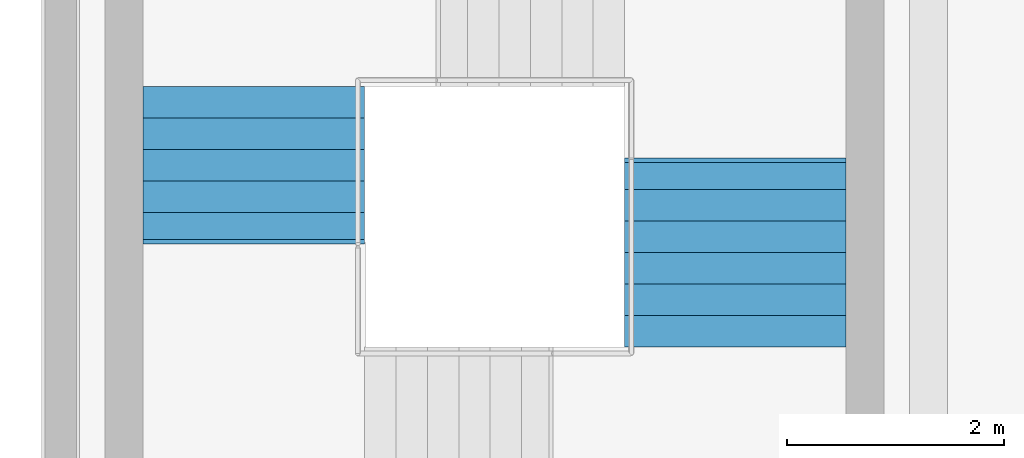
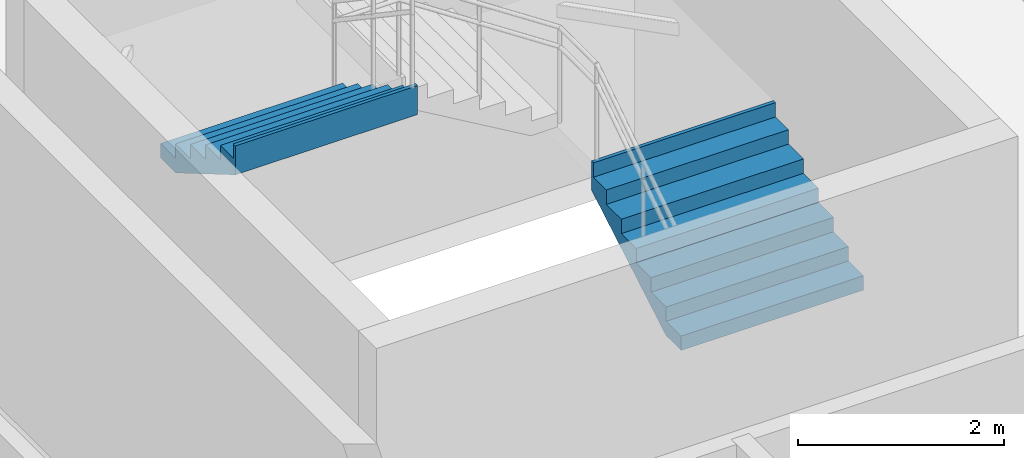
# One storey, part 65 of 69: 2 stair flights, 1 element without a shape of its own.
"""IFC4 building model written with IfcOpenShell, lengths in metres."""

import ifcopenshell
import ifcopenshell.guid

model = None  # the IFC model being written
_history = None  # IfcOwnerHistory: only IFC2X3 demands one
_inside = {}  # id of a spatial element -> (the spatial element, [elements in it])
_under = {}  # id of a project, library or spatial element -> (it, [spatial elements below it])
_declared = {}  # id of a project -> (the project, [libraries it declares])
_typed = {}  # id of a type object -> (the type object, [elements of that type])
_made_of = {}  # id of a material, layer set ... -> (it, [elements and type objects made of it])


def new_model(schema):
    """Start an empty IFC model of exactly this schema.

    Asked for "IFC4X3", IfcOpenShell would pick the latest addendum, in which some entities
    have other attributes; the version numbers below select the first issue.
    IFC2X3 requires an IfcOwnerHistory on every rooted entity: one is made here for all.
    """
    global model, _history
    if schema == "IFC4X3":
        model = ifcopenshell.file(schema_version=(4, 3, 0, 0))
    else:
        model = ifcopenshell.file(schema=schema)
    _inside.clear()
    _under.clear()
    _declared.clear()
    _typed.clear()
    _made_of.clear()
    _history = None
    if model.schema == "IFC2X3":
        org = make("IfcOrganization", Name="unknown")
        user = make(
            "IfcPersonAndOrganization",
            ThePerson=make("IfcPerson", FamilyName="unknown"),
            TheOrganization=org,
        )
        app = make(
            "IfcApplication",
            ApplicationDeveloper=org,
            Version="unknown",
            ApplicationFullName="unknown",
            ApplicationIdentifier="unknown",
        )
        _history = make(
            "IfcOwnerHistory",
            OwningUser=user,
            OwningApplication=app,
            ChangeAction="ADDED",
            CreationDate=0,
        )
    return model


def make(cls, **values):
    """One entity of the class cls with the attributes given. An attribute that is None is left unset."""
    return model.create_entity(
        cls, **{name: value for name, value in values.items() if value is not None}
    )


def rooted(cls, **values):
    """An entity with a GlobalId (a new one), such as an element, a storey or a relation."""
    return make(cls, GlobalId=ifcopenshell.guid.new(), OwnerHistory=_history, **values)


def si_unit(unit_type, name, prefix=None):
    """IfcSIUnit, for example si_unit("LENGTHUNIT", "METRE", prefix="MILLI")."""
    return make("IfcSIUnit", UnitType=unit_type, Prefix=prefix, Name=name)


def assignment(units):
    """IfcUnitAssignment: the units of a project."""
    return None if units is None else make("IfcUnitAssignment", Units=units)


def point(xyz):
    """IfcCartesianPoint."""
    return None if xyz is None else make("IfcCartesianPoint", Coordinates=xyz)


def direction(xyz):
    """IfcDirection."""
    return None if xyz is None else make("IfcDirection", DirectionRatios=xyz)


def frame(location, z_axis=None, x_axis=None):
    """IfcAxis2Placement3D, a coordinate frame: its origin and axes. An axis left out is left unset."""
    return make(
        "IfcAxis2Placement3D",
        Location=point(location),
        Axis=direction(z_axis),
        RefDirection=direction(x_axis),
    )


def origin():
    """The frame at (0, 0, 0) with its axes left unset."""
    return frame((0.0, 0.0, 0.0))


def place(relative_to, where):
    """IfcLocalPlacement: puts the frame where relative to a parent placement (None: the world)."""
    return make(
        "IfcLocalPlacement", PlacementRelTo=relative_to, RelativePlacement=where
    )


def context(
    kind, dimensions, precision=None, world=None, true_north=None, identifier=None
):
    """IfcGeometricRepresentationContext, for example the 3D "Model" context."""
    return make(
        "IfcGeometricRepresentationContext",
        ContextIdentifier=identifier,
        ContextType=kind,
        CoordinateSpaceDimension=dimensions,
        Precision=precision,
        WorldCoordinateSystem=world,
        TrueNorth=true_north,
    )


def subcontext(parent, identifier, kind, view, scale=None):
    """IfcGeometricRepresentationSubContext, for example "Body" below "Model"."""
    return make(
        "IfcGeometricRepresentationSubContext",
        ContextIdentifier=identifier,
        ContextType=kind,
        ParentContext=parent,
        TargetScale=scale,
        TargetView=view,
    )


def project(units=None, contexts=None):
    """IfcProject with its units and contexts."""
    return rooted(
        "IfcProject",
        Name="project",
        RepresentationContexts=contexts,
        UnitsInContext=assignment(units),
    )


def spatial(cls, under=None, at=None, **own):
    """A site, building, storey or space (cls), placed at a placement, below another one or the project."""
    s = rooted(cls, ObjectPlacement=at, **own)
    if under is not None:
        _under.setdefault(under.id(), (under, []))[1].append(s)
    return s


def point_list(points):
    """IfcCartesianPointList2D or 3D."""
    cls = (
        "IfcCartesianPointList2D" if len(points[0]) == 2 else "IfcCartesianPointList3D"
    )
    return make(cls, CoordList=points)


def triangles(points, corners, closed=None, point_numbers=None):
    """IfcTriangulatedFaceSet: each triangle names its three corners, points numbered from 1."""
    return make(
        "IfcTriangulatedFaceSet",
        Coordinates=point_list(points),
        Closed=closed,
        CoordIndex=corners,
        PnIndex=point_numbers,
    )


def shape(context_of_items, identifier, shape_type, items):
    """IfcShapeRepresentation: the items that make up one representation, for example the "Body"."""
    return make(
        "IfcShapeRepresentation",
        ContextOfItems=context_of_items,
        RepresentationIdentifier=identifier,
        RepresentationType=shape_type,
        Items=items,
    )


def material(Name=None, Category=None):
    """IfcMaterial."""
    return make("IfcMaterial", Name=Name, Category=Category)


def made_of(thing, what):
    """Note that an element or type object is made of a material, layer set ...; save() writes the relation."""
    if what is not None:
        _made_of.setdefault(what.id(), (what, []))[1].append(thing)
    return thing


def type_object(cls, material=None, **own):
    """A type object (cls), such as IfcWallType, which elements share."""
    return made_of(rooted(cls, **own), material)


def element(
    cls,
    number,
    at=None,
    inside=None,
    cuts=None,
    type_object=None,
    material=None,
    context=None,
    identifier="Body",
    shape_type=None,
    held_by="IfcProductDefinitionShape",
    body=None,
    shapes=None,
    **own,
):
    """One element of the class cls, such as IfcWall. Its Tag is "e" and its number.

    at: its placement. inside: the storey or other place that contains it. cuts: it is an
    opening in that element (IfcRelVoidsElement). A single representation is given by context,
    identifier, shape_type and body (its items); several are given by shapes. held_by: the class
    of the entity that holds the representations. save() writes the other relations.
    """
    e = rooted(cls, Tag="e%d" % number, ObjectPlacement=at, **own)
    if body is not None:
        shapes = [shape(context, identifier, shape_type, body)]
    if shapes is not None:
        e.Representation = make(held_by, Representations=shapes)
    if inside is not None:
        _inside.setdefault(inside.id(), (inside, []))[1].append(e)
    if cuts is not None:
        rooted(
            "IfcRelVoidsElement", RelatingBuildingElement=cuts, RelatedOpeningElement=e
        )
    if type_object is not None:
        _typed.setdefault(type_object.id(), (type_object, []))[1].append(e)
    return made_of(e, material)


def aggregate(whole, parts):
    """IfcRelAggregates: a whole, such as a stair, and the parts it consists of."""
    return rooted("IfcRelAggregates", RelatingObject=whole, RelatedObjects=parts)


def save(model, path):
    """Write the relations noted so far, then the file.

    IfcRelAggregates (storeys below a building ...), IfcRelContainedInSpatialStructure (elements
    in a storey), IfcRelDefinesByType, IfcRelAssociatesMaterial and IfcRelDeclares: one each for
    every whole, place, type object, material and project.
    """
    for whole, parts in _under.values():
        aggregate(whole, parts)
    for where, things in _inside.values():
        rooted(
            "IfcRelContainedInSpatialStructure",
            RelatedElements=things,
            RelatingStructure=where,
        )
    for kind, things in _typed.values():
        rooted("IfcRelDefinesByType", RelatedObjects=things, RelatingType=kind)
    for what, things in _made_of.values():
        rooted("IfcRelAssociatesMaterial", RelatedObjects=things, RelatingMaterial=what)
    for by, libraries in _declared.values():
        rooted("IfcRelDeclares", RelatingContext=by, RelatedDefinitions=libraries)
    model.write(path)


model = new_model("IFC4")

# Units and contexts
model_context = context("Model", 3, precision=1e-05, world=origin(), true_north=direction((0.0, 1.0)))
body_context = subcontext(model_context, "Body", "Model", "MODEL_VIEW")
ifc_project = project(units=[si_unit("LENGTHUNIT", "METRE"), si_unit("AREAUNIT", "SQUARE_METRE"), si_unit("VOLUMEUNIT", "CUBIC_METRE"), si_unit("PLANEANGLEUNIT", "RADIAN"), si_unit("MASSUNIT", "GRAM", prefix="KILO")], contexts=[model_context])

# Site, building, storey
site_placement = place(None, origin())
site = spatial("IfcSite", under=ifc_project, at=site_placement, CompositionType="ELEMENT")
building_placement = place(site_placement, origin())
building = spatial("IfcBuilding", under=site, at=building_placement, Name="Sillaruma Civic Art Gallery", CompositionType="ELEMENT")
storey_placement = place(building_placement, frame((0.0, 0.0, 42.330078125)))
storey = spatial("IfcBuildingStorey", under=building, at=storey_placement, Name="L08", CompositionType="ELEMENT", Elevation=42.330078125)

# Stair, stair flights
ifc_material = material(Name="Concrete H35 (35 MPa)", Category="concrete")
stair_type = type_object("IfcStairType", Name="STR-4F-27", PredefinedType="USERDEFINED", material=ifc_material)
stair_placement = place(storey_placement, origin())
stair = element("IfcStair", 1, at=stair_placement, inside=storey, type_object=stair_type, Name="Protected Exit Stair ST-02 (West Bar North) (L08)", ObjectType="THREE_RETURN_STAIR", PredefinedType="USERDEFINED")
stair_flight_type_1 = type_object("IfcStairFlightType", Name="SFL-STR-6", PredefinedType="STRAIGHT", material=ifc_material)
stair_flight_1_placement = place(storey_placement, frame((63.780029296875, 85.35009765625, 3.56982421875), z_axis=(0.0, 0.0, 1.0), x_axis=(0.0, -1.0, 0.0)))
stair_flight_1 = element("IfcStairFlight", 2, at=stair_flight_1_placement, type_object=stair_flight_type_1, Name="ST-02 flight 4", NumberOfRisers=6, NumberOfTreads=5, PredefinedType="STRAIGHT", RiserHeight=0.17, TreadLength=0.29, context=body_context, shape_type="Tessellation", body=[
    triangles([(0.0, -1.02001953125, 0.0), (0.29, -1.02001953125, 0.0), (0.296365, -1.02001953125, 0.0), (0.58, -1.02001953125, 0.166269), (0.87, -1.02001953125, 0.336269), (1.16, -1.02001953125, 0.506269), (1.409951, -1.02001953125, 0.652792), (1.449951, -1.02001953125, 0.67624), (1.449951, -1.02001953125, 1.02), (1.409951, -1.02001953125, 1.02), (1.409951, -1.02001953125, 0.85), (1.16, -1.02001953125, 0.85), (1.16, -1.02001953125, 0.68), (0.87, -1.02001953125, 0.68), (0.87, -1.02001953125, 0.51), (0.58, -1.02001953125, 0.51), (0.58, -1.02001953125, 0.34), (0.296365, -1.02001953125, 0.34), (0.29, -1.02001953125, 0.34), (0.29, -1.02001953125, 0.17), (0.0, -1.02001953125, 0.17), (0.0, -0.05, 0.0), (0.29, -0.05, 0.0), (0.296365, -0.05, 0.0), (0.58, -0.05, 0.166269), (0.87, -0.05, 0.336269), (1.16, -0.05, 0.506269), (1.409951, -0.05, 0.652792), (1.449951, -0.05, 0.67624), (1.449951, -0.05, 1.02), (1.409951, -0.05, 1.02), (1.409951, -0.05, 0.85), (1.16, -0.05, 0.85), (1.16, -0.05, 0.68), (0.87, -0.05, 0.68), (0.87, -0.05, 0.51), (0.58, -0.05, 0.51), (0.58, -0.05, 0.34), (0.296365, -0.05, 0.34), (0.29, -0.05, 0.34), (0.29, -0.05, 0.17), (0.0, -0.05, 0.17), (0.0, -0.0375, 0.0), (0.29, -0.0375, 0.0), (0.296365, -0.0375, 0.0), (0.58, -0.0375, 0.166269), (0.87, -0.0375, 0.336269), (1.16, -0.0375, 0.506269), (1.409951, -0.0375, 0.652792), (1.449951, -0.0375, 0.67624), (1.449951, -0.0375, 1.02), (1.409951, -0.0375, 1.02), (1.409951, -0.0375, 0.85), (1.16, -0.0375, 0.85), (1.16, -0.0375, 0.68), (0.87, -0.0375, 0.68), (0.87, -0.0375, 0.51), (0.58, -0.0375, 0.51), (0.58, -0.0375, 0.34), (0.296365, -0.0375, 0.34), (0.29, -0.0375, 0.34), (0.29, -0.0375, 0.17), (0.0, -0.0375, 0.17), (0.0, -0.025, 0.0), (0.29, -0.025, 0.0), (0.296365, -0.025, 0.0), (0.58, -0.025, 0.166269), (0.87, -0.025, 0.336269), (1.16, -0.025, 0.506269), (1.409951, -0.025, 0.652792), (1.449951, -0.025, 0.67624), (1.449951, -0.025, 1.02), (1.409951, -0.025, 1.02), (1.409951, -0.025, 0.85), (1.16, -0.025, 0.85), (1.16, -0.025, 0.68), (0.87, -0.025, 0.68), (0.87, -0.025, 0.51), (0.58, -0.025, 0.51), (0.58, -0.025, 0.34), (0.296365, -0.025, 0.34), (0.29, -0.025, 0.34), (0.29, -0.025, 0.17), (0.0, -0.025, 0.17), (0.0, -0.0125, 0.0), (0.29, -0.0125, 0.0), (0.296365, -0.0125, 0.0), (0.58, -0.0125, 0.166269), (0.87, -0.0125, 0.336269), (1.16, -0.0125, 0.506269), (1.409951, -0.0125, 0.652792), (1.449951, -0.0125, 0.67624), (1.449951, -0.0125, 1.02), (1.409951, -0.0125, 1.02), (1.409951, -0.0125, 0.85), (1.16, -0.0125, 0.85), (1.16, -0.0125, 0.68), (0.87, -0.0125, 0.68), (0.87, -0.0125, 0.51), (0.58, -0.0125, 0.51), (0.58, -0.0125, 0.34), (0.296365, -0.0125, 0.34), (0.29, -0.0125, 0.34), (0.29, -0.0125, 0.17), (0.0, -0.0125, 0.17), (0.0, 0.0, 0.0), (0.29, 0.0, 0.0), (0.296365, 0.0, 0.0), (0.58, 0.0, 0.166269), (0.87, 0.0, 0.336269), (1.16, 0.0, 0.506269), (1.409951, 0.0, 0.652792), (1.449951, 0.0, 0.67624), (1.449951, 0.0, 1.02), (1.409951, 0.0, 1.02), (1.409951, 0.0, 0.85), (1.16, 0.0, 0.85), (1.16, 0.0, 0.68), (0.87, 0.0, 0.68), (0.87, 0.0, 0.51), (0.58, 0.0, 0.51), (0.58, 0.0, 0.34), (0.296365, 0.0, 0.34), (0.29, 0.0, 0.34), (0.29, 0.0, 0.17), (0.0, 0.0, 0.17), (0.0, 0.0125, 0.0), (0.29, 0.0125, 0.0), (0.296365, 0.0125, 0.0), (0.58, 0.0125, 0.166269), (0.87, 0.0125, 0.336269), (1.16, 0.0125, 0.506269), (1.409951, 0.0125, 0.652792), (1.449951, 0.0125, 0.67624), (1.449951, 0.0125, 1.02), (1.409951, 0.0125, 1.02), (1.409951, 0.0125, 0.85), (1.16, 0.0125, 0.85), (1.16, 0.0125, 0.68), (0.87, 0.0125, 0.68), (0.87, 0.0125, 0.51), (0.58, 0.0125, 0.51), (0.58, 0.0125, 0.34), (0.296365, 0.0125, 0.34), (0.29, 0.0125, 0.34), (0.29, 0.0125, 0.17), (0.0, 0.0125, 0.17), (0.0, 0.025, 0.0), (0.29, 0.025, 0.0), (0.296365, 0.025, 0.0), (0.58, 0.025, 0.166269), (0.87, 0.025, 0.336269), (1.16, 0.025, 0.506269), (1.409951, 0.025, 0.652792), (1.449951, 0.025, 0.67624), (1.449951, 0.025, 1.02), (1.409951, 0.025, 1.02), (1.409951, 0.025, 0.85), (1.16, 0.025, 0.85), (1.16, 0.025, 0.68), (0.87, 0.025, 0.68), (0.87, 0.025, 0.51), (0.58, 0.025, 0.51), (0.58, 0.025, 0.34), (0.296365, 0.025, 0.34), (0.29, 0.025, 0.34), (0.29, 0.025, 0.17), (0.0, 0.025, 0.17), (0.0, 0.0375, 0.0), (0.29, 0.0375, 0.0), (0.296365, 0.0375, 0.0), (0.58, 0.0375, 0.166269), (0.87, 0.0375, 0.336269), (1.16, 0.0375, 0.506269), (1.409951, 0.0375, 0.652792), (1.449951, 0.0375, 0.67624), (1.449951, 0.0375, 1.02), (1.409951, 0.0375, 1.02), (1.409951, 0.0375, 0.85), (1.16, 0.0375, 0.85), (1.16, 0.0375, 0.68), (0.87, 0.0375, 0.68), (0.87, 0.0375, 0.51), (0.58, 0.0375, 0.51), (0.58, 0.0375, 0.34), (0.296365, 0.0375, 0.34), (0.29, 0.0375, 0.34), (0.29, 0.0375, 0.17), (0.0, 0.0375, 0.17), (0.0, 0.05, 0.0), (0.29, 0.05, 0.0), (0.296365, 0.05, 0.0), (0.58, 0.05, 0.166269), (0.87, 0.05, 0.336269), (1.16, 0.05, 0.506269), (1.409951, 0.05, 0.652792), (1.449951, 0.05, 0.67624), (1.449951, 0.05, 1.02), (1.409951, 0.05, 1.02), (1.409951, 0.05, 0.85), (1.16, 0.05, 0.85), (1.16, 0.05, 0.68), (0.87, 0.05, 0.68), (0.87, 0.05, 0.51), (0.58, 0.05, 0.51), (0.58, 0.05, 0.34), (0.296365, 0.05, 0.34), (0.29, 0.05, 0.34), (0.29, 0.05, 0.17), (0.0, 0.05, 0.17), (0.0, 1.02001953125, 0.0), (0.29, 1.02001953125, 0.0), (0.296365, 1.02001953125, 0.0), (0.58, 1.02001953125, 0.166269), (0.87, 1.02001953125, 0.336269), (1.16, 1.02001953125, 0.506269), (1.409951, 1.02001953125, 0.652792), (1.449951, 1.02001953125, 0.67624), (1.449951, 1.02001953125, 1.02), (1.409951, 1.02001953125, 1.02), (1.409951, 1.02001953125, 0.85), (1.16, 1.02001953125, 0.85), (1.16, 1.02001953125, 0.68), (0.87, 1.02001953125, 0.68), (0.87, 1.02001953125, 0.51), (0.58, 1.02001953125, 0.51), (0.58, 1.02001953125, 0.34), (0.296365, 1.02001953125, 0.34), (0.29, 1.02001953125, 0.34), (0.29, 1.02001953125, 0.17), (0.0, 1.02001953125, 0.17)], [[1, 2, 20], [1, 20, 21], [2, 3, 18], [2, 18, 20], [20, 18, 19], [3, 4, 17], [3, 17, 18], [4, 5, 15], [4, 15, 17], [17, 15, 16], [5, 6, 13], [5, 13, 15], [15, 13, 14], [6, 7, 11], [6, 11, 13], [13, 11, 12], [7, 8, 9], [7, 9, 11], [11, 9, 10], [230, 212, 211], [231, 230, 211], [228, 213, 212], [230, 228, 212], [229, 228, 230], [227, 214, 213], [228, 227, 213], [225, 215, 214], [227, 225, 214], [226, 225, 227], [223, 216, 215], [225, 223, 215], [224, 223, 225], [221, 217, 216], [223, 221, 216], [222, 221, 223], [219, 218, 217], [221, 219, 217], [220, 219, 221], [2, 1, 22], [2, 22, 23], [3, 2, 23], [3, 23, 24], [4, 3, 24], [4, 24, 25], [5, 4, 25], [5, 25, 26], [6, 5, 26], [6, 26, 27], [7, 6, 27], [7, 27, 28], [8, 7, 28], [8, 28, 29], [9, 8, 29], [9, 29, 30], [10, 9, 30], [10, 30, 31], [11, 10, 31], [11, 31, 32], [12, 11, 32], [12, 32, 33], [13, 12, 33], [13, 33, 34], [14, 13, 34], [14, 34, 35], [15, 14, 35], [15, 35, 36], [16, 15, 36], [16, 36, 37], [17, 16, 37], [17, 37, 38], [18, 17, 38], [18, 38, 39], [19, 18, 39], [19, 39, 40], [20, 19, 40], [20, 40, 41], [21, 20, 41], [21, 41, 42], [1, 21, 42], [1, 42, 22], [23, 22, 43], [23, 43, 44], [24, 23, 44], [24, 44, 45], [25, 24, 45], [25, 45, 46], [26, 25, 46], [26, 46, 47], [27, 26, 47], [27, 47, 48], [28, 27, 48], [28, 48, 49], [29, 28, 49], [29, 49, 50], [30, 29, 50], [30, 50, 51], [31, 30, 51], [31, 51, 52], [32, 31, 52], [32, 52, 53], [33, 32, 53], [33, 53, 54], [34, 33, 54], [34, 54, 55], [35, 34, 55], [35, 55, 56], [36, 35, 56], [36, 56, 57], [37, 36, 57], [37, 57, 58], [38, 37, 58], [38, 58, 59], [39, 38, 59], [39, 59, 60], [40, 39, 60], [40, 60, 61], [41, 40, 61], [41, 61, 62], [42, 41, 62], [42, 62, 63], [22, 42, 63], [22, 63, 43], [44, 43, 64], [44, 64, 65], [45, 44, 65], [45, 65, 66], [46, 45, 66], [46, 66, 67], [47, 46, 67], [47, 67, 68], [48, 47, 68], [48, 68, 69], [49, 48, 69], [49, 69, 70], [50, 49, 70], [50, 70, 71], [51, 50, 71], [51, 71, 72], [52, 51, 72], [52, 72, 73], [53, 52, 73], [53, 73, 74], [54, 53, 74], [54, 74, 75], [55, 54, 75], [55, 75, 76], [56, 55, 76], [56, 76, 77], [57, 56, 77], [57, 77, 78], [58, 57, 78], [58, 78, 79], [59, 58, 79], [59, 79, 80], [60, 59, 80], [60, 80, 81], [61, 60, 81], [61, 81, 82], [62, 61, 82], [62, 82, 83], [63, 62, 83], [63, 83, 84], [43, 63, 84], [43, 84, 64], [65, 64, 85], [65, 85, 86], [66, 65, 86], [66, 86, 87], [67, 66, 87], [67, 87, 88], [68, 67, 88], [68, 88, 89], [69, 68, 89], [69, 89, 90], [70, 69, 90], [70, 90, 91], [71, 70, 91], [71, 91, 92], [72, 71, 92], [72, 92, 93], [73, 72, 93], [73, 93, 94], [74, 73, 94], [74, 94, 95], [75, 74, 95], [75, 95, 96], [76, 75, 96], [76, 96, 97], [77, 76, 97], [77, 97, 98], [78, 77, 98], [78, 98, 99], [79, 78, 99], [79, 99, 100], [80, 79, 100], [80, 100, 101], [81, 80, 101], [81, 101, 102], [82, 81, 102], [82, 102, 103], [83, 82, 103], [83, 103, 104], [84, 83, 104], [84, 104, 105], [64, 84, 105], [64, 105, 85], [86, 85, 106], [86, 106, 107], [87, 86, 107], [87, 107, 108], [88, 87, 108], [88, 108, 109], [89, 88, 109], [89, 109, 110], [90, 89, 110], [90, 110, 111], [91, 90, 111], [91, 111, 112], [92, 91, 112], [92, 112, 113], [93, 92, 113], [93, 113, 114], [94, 93, 114], [94, 114, 115], [95, 94, 115], [95, 115, 116], [96, 95, 116], [96, 116, 117], [97, 96, 117], [97, 117, 118], [98, 97, 118], [98, 118, 119], [99, 98, 119], [99, 119, 120], [100, 99, 120], [100, 120, 121], [101, 100, 121], [101, 121, 122], [102, 101, 122], [102, 122, 123], [103, 102, 123], [103, 123, 124], [104, 103, 124], [104, 124, 125], [105, 104, 125], [105, 125, 126], [85, 105, 126], [85, 126, 106], [107, 106, 127], [107, 127, 128], [108, 107, 128], [108, 128, 129], [109, 108, 129], [109, 129, 130], [110, 109, 130], [110, 130, 131], [111, 110, 131], [111, 131, 132], [112, 111, 132], [112, 132, 133], [113, 112, 133], [113, 133, 134], [114, 113, 134], [114, 134, 135], [115, 114, 135], [115, 135, 136], [116, 115, 136], [116, 136, 137], [117, 116, 137], [117, 137, 138], [118, 117, 138], [118, 138, 139], [119, 118, 139], [119, 139, 140], [120, 119, 140], [120, 140, 141], [121, 120, 141], [121, 141, 142], [122, 121, 142], [122, 142, 143], [123, 122, 143], [123, 143, 144], [124, 123, 144], [124, 144, 145], [125, 124, 145], [125, 145, 146], [126, 125, 146], [126, 146, 147], [106, 126, 147], [106, 147, 127], [128, 127, 148], [128, 148, 149], [129, 128, 149], [129, 149, 150], [130, 129, 150], [130, 150, 151], [131, 130, 151], [131, 151, 152], [132, 131, 152], [132, 152, 153], [133, 132, 153], [133, 153, 154], [134, 133, 154], [134, 154, 155], [135, 134, 155], [135, 155, 156], [136, 135, 156], [136, 156, 157], [137, 136, 157], [137, 157, 158], [138, 137, 158], [138, 158, 159], [139, 138, 159], [139, 159, 160], [140, 139, 160], [140, 160, 161], [141, 140, 161], [141, 161, 162], [142, 141, 162], [142, 162, 163], [143, 142, 163], [143, 163, 164], [144, 143, 164], [144, 164, 165], [145, 144, 165], [145, 165, 166], [146, 145, 166], [146, 166, 167], [147, 146, 167], [147, 167, 168], [127, 147, 168], [127, 168, 148], [149, 148, 169], [149, 169, 170], [150, 149, 170], [150, 170, 171], [151, 150, 171], [151, 171, 172], [152, 151, 172], [152, 172, 173], [153, 152, 173], [153, 173, 174], [154, 153, 174], [154, 174, 175], [155, 154, 175], [155, 175, 176], [156, 155, 176], [156, 176, 177], [157, 156, 177], [157, 177, 178], [158, 157, 178], [158, 178, 179], [159, 158, 179], [159, 179, 180], [160, 159, 180], [160, 180, 181], [161, 160, 181], [161, 181, 182], [162, 161, 182], [162, 182, 183], [163, 162, 183], [163, 183, 184], [164, 163, 184], [164, 184, 185], [165, 164, 185], [165, 185, 186], [166, 165, 186], [166, 186, 187], [167, 166, 187], [167, 187, 188], [168, 167, 188], [168, 188, 189], [148, 168, 189], [148, 189, 169], [170, 169, 190], [170, 190, 191], [171, 170, 191], [171, 191, 192], [172, 171, 192], [172, 192, 193], [173, 172, 193], [173, 193, 194], [174, 173, 194], [174, 194, 195], [175, 174, 195], [175, 195, 196], [176, 175, 196], [176, 196, 197], [177, 176, 197], [177, 197, 198], [178, 177, 198], [178, 198, 199], [179, 178, 199], [179, 199, 200], [180, 179, 200], [180, 200, 201], [181, 180, 201], [181, 201, 202], [182, 181, 202], [182, 202, 203], [183, 182, 203], [183, 203, 204], [184, 183, 204], [184, 204, 205], [185, 184, 205], [185, 205, 206], [186, 185, 206], [186, 206, 207], [187, 186, 207], [187, 207, 208], [188, 187, 208], [188, 208, 209], [189, 188, 209], [189, 209, 210], [169, 189, 210], [169, 210, 190], [191, 190, 211], [191, 211, 212], [192, 191, 212], [192, 212, 213], [193, 192, 213], [193, 213, 214], [194, 193, 214], [194, 214, 215], [195, 194, 215], [195, 215, 216], [196, 195, 216], [196, 216, 217], [197, 196, 217], [197, 217, 218], [198, 197, 218], [198, 218, 219], [199, 198, 219], [199, 219, 220], [200, 199, 220], [200, 220, 221], [201, 200, 221], [201, 221, 222], [202, 201, 222], [202, 222, 223], [203, 202, 223], [203, 223, 224], [204, 203, 224], [204, 224, 225], [205, 204, 225], [205, 225, 226], [206, 205, 226], [206, 226, 227], [207, 206, 227], [207, 227, 228], [208, 207, 228], [208, 228, 229], [209, 208, 229], [209, 229, 230], [210, 209, 230], [210, 230, 231], [190, 210, 231], [190, 231, 211]], closed=True),
])
stair_flight_type_2 = type_object("IfcStairFlightType", Name="SFL-STR-7", PredefinedType="STRAIGHT", material=ifc_material)
stair_flight_2_placement = place(storey_placement, frame((68.219970703125, 82.949951171875, 1.18994140625), z_axis=(0.0, 0.0, 1.0), x_axis=(0.0, 1.0, 0.0)))
stair_flight_2 = element("IfcStairFlight", 3, at=stair_flight_2_placement, type_object=stair_flight_type_2, Name="ST-02 flight 2", NumberOfRisers=7, NumberOfTreads=6, PredefinedType="STRAIGHT", RiserHeight=0.17, TreadLength=0.29, context=body_context, shape_type="Tessellation", body=[
    triangles([(0.0, -1.02001953125, 0.0), (0.29, -1.02001953125, 0.0), (0.296404, -1.02001953125, 0.0), (0.58, -1.02001953125, 0.166246), (0.87, -1.02001953125, 0.336246), (1.16, -1.02001953125, 0.506246), (1.45, -1.02001953125, 0.676246), (1.69999, -1.02001953125, 0.822792), (1.73999, -1.02001953125, 0.84624), (1.73999, -1.02001953125, 1.19), (1.69999, -1.02001953125, 1.19), (1.69999, -1.02001953125, 1.02), (1.45, -1.02001953125, 1.02), (1.45, -1.02001953125, 0.85), (1.16, -1.02001953125, 0.85), (1.16, -1.02001953125, 0.68), (0.87, -1.02001953125, 0.68), (0.87, -1.02001953125, 0.51), (0.58, -1.02001953125, 0.51), (0.58, -1.02001953125, 0.34), (0.296404, -1.02001953125, 0.34), (0.29, -1.02001953125, 0.34), (0.29, -1.02001953125, 0.17), (0.0, -1.02001953125, 0.17), (0.0, -0.05, 0.0), (0.29, -0.05, 0.0), (0.296404, -0.05, 0.0), (0.58, -0.05, 0.166246), (0.87, -0.05, 0.336246), (1.16, -0.05, 0.506246), (1.45, -0.05, 0.676246), (1.69999, -0.05, 0.822792), (1.73999, -0.05, 0.84624), (1.73999, -0.05, 1.19), (1.69999, -0.05, 1.19), (1.69999, -0.05, 1.02), (1.45, -0.05, 1.02), (1.45, -0.05, 0.85), (1.16, -0.05, 0.85), (1.16, -0.05, 0.68), (0.87, -0.05, 0.68), (0.87, -0.05, 0.51), (0.58, -0.05, 0.51), (0.58, -0.05, 0.34), (0.296404, -0.05, 0.34), (0.29, -0.05, 0.34), (0.29, -0.05, 0.17), (0.0, -0.05, 0.17), (0.0, -0.0375, 0.0), (0.29, -0.0375, 0.0), (0.296404, -0.0375, 0.0), (0.58, -0.0375, 0.166246), (0.87, -0.0375, 0.336246), (1.16, -0.0375, 0.506246), (1.45, -0.0375, 0.676246), (1.69999, -0.0375, 0.822792), (1.73999, -0.0375, 0.84624), (1.73999, -0.0375, 1.19), (1.69999, -0.0375, 1.19), (1.69999, -0.0375, 1.02), (1.45, -0.0375, 1.02), (1.45, -0.0375, 0.85), (1.16, -0.0375, 0.85), (1.16, -0.0375, 0.68), (0.87, -0.0375, 0.68), (0.87, -0.0375, 0.51), (0.58, -0.0375, 0.51), (0.58, -0.0375, 0.34), (0.296404, -0.0375, 0.34), (0.29, -0.0375, 0.34), (0.29, -0.0375, 0.17), (0.0, -0.0375, 0.17), (0.0, -0.025, 0.0), (0.29, -0.025, 0.0), (0.296404, -0.025, 0.0), (0.58, -0.025, 0.166246), (0.87, -0.025, 0.336246), (1.16, -0.025, 0.506246), (1.45, -0.025, 0.676246), (1.69999, -0.025, 0.822792), (1.73999, -0.025, 0.84624), (1.73999, -0.025, 1.19), (1.69999, -0.025, 1.19), (1.69999, -0.025, 1.02), (1.45, -0.025, 1.02), (1.45, -0.025, 0.85), (1.16, -0.025, 0.85), (1.16, -0.025, 0.68), (0.87, -0.025, 0.68), (0.87, -0.025, 0.51), (0.58, -0.025, 0.51), (0.58, -0.025, 0.34), (0.296404, -0.025, 0.34), (0.29, -0.025, 0.34), (0.29, -0.025, 0.17), (0.0, -0.025, 0.17), (0.0, -0.0125, 0.0), (0.29, -0.0125, 0.0), (0.296404, -0.0125, 0.0), (0.58, -0.0125, 0.166246), (0.87, -0.0125, 0.336246), (1.16, -0.0125, 0.506246), (1.45, -0.0125, 0.676246), (1.69999, -0.0125, 0.822792), (1.73999, -0.0125, 0.84624), (1.73999, -0.0125, 1.19), (1.69999, -0.0125, 1.19), (1.69999, -0.0125, 1.02), (1.45, -0.0125, 1.02), (1.45, -0.0125, 0.85), (1.16, -0.0125, 0.85), (1.16, -0.0125, 0.68), (0.87, -0.0125, 0.68), (0.87, -0.0125, 0.51), (0.58, -0.0125, 0.51), (0.58, -0.0125, 0.34), (0.296404, -0.0125, 0.34), (0.29, -0.0125, 0.34), (0.29, -0.0125, 0.17), (0.0, -0.0125, 0.17), (0.0, 0.0, 0.0), (0.29, 0.0, 0.0), (0.296404, 0.0, 0.0), (0.58, 0.0, 0.166246), (0.87, 0.0, 0.336246), (1.16, 0.0, 0.506246), (1.45, 0.0, 0.676246), (1.69999, 0.0, 0.822792), (1.73999, 0.0, 0.84624), (1.73999, 0.0, 1.19), (1.69999, 0.0, 1.19), (1.69999, 0.0, 1.02), (1.45, 0.0, 1.02), (1.45, 0.0, 0.85), (1.16, 0.0, 0.85), (1.16, 0.0, 0.68), (0.87, 0.0, 0.68), (0.87, 0.0, 0.51), (0.58, 0.0, 0.51), (0.58, 0.0, 0.34), (0.296404, 0.0, 0.34), (0.29, 0.0, 0.34), (0.29, 0.0, 0.17), (0.0, 0.0, 0.17), (0.0, 0.0125, 0.0), (0.29, 0.0125, 0.0), (0.296404, 0.0125, 0.0), (0.58, 0.0125, 0.166246), (0.87, 0.0125, 0.336246), (1.16, 0.0125, 0.506246), (1.45, 0.0125, 0.676246), (1.69999, 0.0125, 0.822792), (1.73999, 0.0125, 0.84624), (1.73999, 0.0125, 1.19), (1.69999, 0.0125, 1.19), (1.69999, 0.0125, 1.02), (1.45, 0.0125, 1.02), (1.45, 0.0125, 0.85), (1.16, 0.0125, 0.85), (1.16, 0.0125, 0.68), (0.87, 0.0125, 0.68), (0.87, 0.0125, 0.51), (0.58, 0.0125, 0.51), (0.58, 0.0125, 0.34), (0.296404, 0.0125, 0.34), (0.29, 0.0125, 0.34), (0.29, 0.0125, 0.17), (0.0, 0.0125, 0.17), (0.0, 0.025, 0.0), (0.29, 0.025, 0.0), (0.296404, 0.025, 0.0), (0.58, 0.025, 0.166246), (0.87, 0.025, 0.336246), (1.16, 0.025, 0.506246), (1.45, 0.025, 0.676246), (1.69999, 0.025, 0.822792), (1.73999, 0.025, 0.84624), (1.73999, 0.025, 1.19), (1.69999, 0.025, 1.19), (1.69999, 0.025, 1.02), (1.45, 0.025, 1.02), (1.45, 0.025, 0.85), (1.16, 0.025, 0.85), (1.16, 0.025, 0.68), (0.87, 0.025, 0.68), (0.87, 0.025, 0.51), (0.58, 0.025, 0.51), (0.58, 0.025, 0.34), (0.296404, 0.025, 0.34), (0.29, 0.025, 0.34), (0.29, 0.025, 0.17), (0.0, 0.025, 0.17), (0.0, 0.0375, 0.0), (0.29, 0.0375, 0.0), (0.296404, 0.0375, 0.0), (0.58, 0.0375, 0.166246), (0.87, 0.0375, 0.336246), (1.16, 0.0375, 0.506246), (1.45, 0.0375, 0.676246), (1.69999, 0.0375, 0.822792), (1.73999, 0.0375, 0.84624), (1.73999, 0.0375, 1.19), (1.69999, 0.0375, 1.19), (1.69999, 0.0375, 1.02), (1.45, 0.0375, 1.02), (1.45, 0.0375, 0.85), (1.16, 0.0375, 0.85), (1.16, 0.0375, 0.68), (0.87, 0.0375, 0.68), (0.87, 0.0375, 0.51), (0.58, 0.0375, 0.51), (0.58, 0.0375, 0.34), (0.296404, 0.0375, 0.34), (0.29, 0.0375, 0.34), (0.29, 0.0375, 0.17), (0.0, 0.0375, 0.17), (0.0, 0.05, 0.0), (0.29, 0.05, 0.0), (0.296404, 0.05, 0.0), (0.58, 0.05, 0.166246), (0.87, 0.05, 0.336246), (1.16, 0.05, 0.506246), (1.45, 0.05, 0.676246), (1.69999, 0.05, 0.822792), (1.73999, 0.05, 0.84624), (1.73999, 0.05, 1.19), (1.69999, 0.05, 1.19), (1.69999, 0.05, 1.02), (1.45, 0.05, 1.02), (1.45, 0.05, 0.85), (1.16, 0.05, 0.85), (1.16, 0.05, 0.68), (0.87, 0.05, 0.68), (0.87, 0.05, 0.51), (0.58, 0.05, 0.51), (0.58, 0.05, 0.34), (0.296404, 0.05, 0.34), (0.29, 0.05, 0.34), (0.29, 0.05, 0.17), (0.0, 0.05, 0.17), (0.0, 1.02001953125, 0.0), (0.29, 1.02001953125, 0.0), (0.296404, 1.02001953125, 0.0), (0.58, 1.02001953125, 0.166246), (0.87, 1.02001953125, 0.336246), (1.16, 1.02001953125, 0.506246), (1.45, 1.02001953125, 0.676246), (1.69999, 1.02001953125, 0.822792), (1.73999, 1.02001953125, 0.84624), (1.73999, 1.02001953125, 1.19), (1.69999, 1.02001953125, 1.19), (1.69999, 1.02001953125, 1.02), (1.45, 1.02001953125, 1.02), (1.45, 1.02001953125, 0.85), (1.16, 1.02001953125, 0.85), (1.16, 1.02001953125, 0.68), (0.87, 1.02001953125, 0.68), (0.87, 1.02001953125, 0.51), (0.58, 1.02001953125, 0.51), (0.58, 1.02001953125, 0.34), (0.296404, 1.02001953125, 0.34), (0.29, 1.02001953125, 0.34), (0.29, 1.02001953125, 0.17), (0.0, 1.02001953125, 0.17)], [[1, 2, 23], [1, 23, 24], [2, 3, 21], [2, 21, 23], [23, 21, 22], [3, 4, 20], [3, 20, 21], [4, 5, 18], [4, 18, 20], [20, 18, 19], [5, 6, 16], [5, 16, 18], [18, 16, 17], [6, 7, 14], [6, 14, 16], [16, 14, 15], [7, 8, 12], [7, 12, 14], [14, 12, 13], [8, 9, 10], [8, 10, 12], [12, 10, 11], [263, 242, 241], [264, 263, 241], [261, 243, 242], [263, 261, 242], [262, 261, 263], [260, 244, 243], [261, 260, 243], [258, 245, 244], [260, 258, 244], [259, 258, 260], [256, 246, 245], [258, 256, 245], [257, 256, 258], [254, 247, 246], [256, 254, 246], [255, 254, 256], [252, 248, 247], [254, 252, 247], [253, 252, 254], [250, 249, 248], [252, 250, 248], [251, 250, 252], [2, 1, 25], [2, 25, 26], [3, 2, 26], [3, 26, 27], [4, 3, 27], [4, 27, 28], [5, 4, 28], [5, 28, 29], [6, 5, 29], [6, 29, 30], [7, 6, 30], [7, 30, 31], [8, 7, 31], [8, 31, 32], [9, 8, 32], [9, 32, 33], [10, 9, 33], [10, 33, 34], [11, 10, 34], [11, 34, 35], [12, 11, 35], [12, 35, 36], [13, 12, 36], [13, 36, 37], [14, 13, 37], [14, 37, 38], [15, 14, 38], [15, 38, 39], [16, 15, 39], [16, 39, 40], [17, 16, 40], [17, 40, 41], [18, 17, 41], [18, 41, 42], [19, 18, 42], [19, 42, 43], [20, 19, 43], [20, 43, 44], [21, 20, 44], [21, 44, 45], [22, 21, 45], [22, 45, 46], [23, 22, 46], [23, 46, 47], [24, 23, 47], [24, 47, 48], [1, 24, 48], [1, 48, 25], [26, 25, 49], [26, 49, 50], [27, 26, 50], [27, 50, 51], [28, 27, 51], [28, 51, 52], [29, 28, 52], [29, 52, 53], [30, 29, 53], [30, 53, 54], [31, 30, 54], [31, 54, 55], [32, 31, 55], [32, 55, 56], [33, 32, 56], [33, 56, 57], [34, 33, 57], [34, 57, 58], [35, 34, 58], [35, 58, 59], [36, 35, 59], [36, 59, 60], [37, 36, 60], [37, 60, 61], [38, 37, 61], [38, 61, 62], [39, 38, 62], [39, 62, 63], [40, 39, 63], [40, 63, 64], [41, 40, 64], [41, 64, 65], [42, 41, 65], [42, 65, 66], [43, 42, 66], [43, 66, 67], [44, 43, 67], [44, 67, 68], [45, 44, 68], [45, 68, 69], [46, 45, 69], [46, 69, 70], [47, 46, 70], [47, 70, 71], [48, 47, 71], [48, 71, 72], [25, 48, 72], [25, 72, 49], [50, 49, 73], [50, 73, 74], [51, 50, 74], [51, 74, 75], [52, 51, 75], [52, 75, 76], [53, 52, 76], [53, 76, 77], [54, 53, 77], [54, 77, 78], [55, 54, 78], [55, 78, 79], [56, 55, 79], [56, 79, 80], [57, 56, 80], [57, 80, 81], [58, 57, 81], [58, 81, 82], [59, 58, 82], [59, 82, 83], [60, 59, 83], [60, 83, 84], [61, 60, 84], [61, 84, 85], [62, 61, 85], [62, 85, 86], [63, 62, 86], [63, 86, 87], [64, 63, 87], [64, 87, 88], [65, 64, 88], [65, 88, 89], [66, 65, 89], [66, 89, 90], [67, 66, 90], [67, 90, 91], [68, 67, 91], [68, 91, 92], [69, 68, 92], [69, 92, 93], [70, 69, 93], [70, 93, 94], [71, 70, 94], [71, 94, 95], [72, 71, 95], [72, 95, 96], [49, 72, 96], [49, 96, 73], [74, 73, 97], [74, 97, 98], [75, 74, 98], [75, 98, 99], [76, 75, 99], [76, 99, 100], [77, 76, 100], [77, 100, 101], [78, 77, 101], [78, 101, 102], [79, 78, 102], [79, 102, 103], [80, 79, 103], [80, 103, 104], [81, 80, 104], [81, 104, 105], [82, 81, 105], [82, 105, 106], [83, 82, 106], [83, 106, 107], [84, 83, 107], [84, 107, 108], [85, 84, 108], [85, 108, 109], [86, 85, 109], [86, 109, 110], [87, 86, 110], [87, 110, 111], [88, 87, 111], [88, 111, 112], [89, 88, 112], [89, 112, 113], [90, 89, 113], [90, 113, 114], [91, 90, 114], [91, 114, 115], [92, 91, 115], [92, 115, 116], [93, 92, 116], [93, 116, 117], [94, 93, 117], [94, 117, 118], [95, 94, 118], [95, 118, 119], [96, 95, 119], [96, 119, 120], [73, 96, 120], [73, 120, 97], [98, 97, 121], [98, 121, 122], [99, 98, 122], [99, 122, 123], [100, 99, 123], [100, 123, 124], [101, 100, 124], [101, 124, 125], [102, 101, 125], [102, 125, 126], [103, 102, 126], [103, 126, 127], [104, 103, 127], [104, 127, 128], [105, 104, 128], [105, 128, 129], [106, 105, 129], [106, 129, 130], [107, 106, 130], [107, 130, 131], [108, 107, 131], [108, 131, 132], [109, 108, 132], [109, 132, 133], [110, 109, 133], [110, 133, 134], [111, 110, 134], [111, 134, 135], [112, 111, 135], [112, 135, 136], [113, 112, 136], [113, 136, 137], [114, 113, 137], [114, 137, 138], [115, 114, 138], [115, 138, 139], [116, 115, 139], [116, 139, 140], [117, 116, 140], [117, 140, 141], [118, 117, 141], [118, 141, 142], [119, 118, 142], [119, 142, 143], [120, 119, 143], [120, 143, 144], [97, 120, 144], [97, 144, 121], [122, 121, 145], [122, 145, 146], [123, 122, 146], [123, 146, 147], [124, 123, 147], [124, 147, 148], [125, 124, 148], [125, 148, 149], [126, 125, 149], [126, 149, 150], [127, 126, 150], [127, 150, 151], [128, 127, 151], [128, 151, 152], [129, 128, 152], [129, 152, 153], [130, 129, 153], [130, 153, 154], [131, 130, 154], [131, 154, 155], [132, 131, 155], [132, 155, 156], [133, 132, 156], [133, 156, 157], [134, 133, 157], [134, 157, 158], [135, 134, 158], [135, 158, 159], [136, 135, 159], [136, 159, 160], [137, 136, 160], [137, 160, 161], [138, 137, 161], [138, 161, 162], [139, 138, 162], [139, 162, 163], [140, 139, 163], [140, 163, 164], [141, 140, 164], [141, 164, 165], [142, 141, 165], [142, 165, 166], [143, 142, 166], [143, 166, 167], [144, 143, 167], [144, 167, 168], [121, 144, 168], [121, 168, 145], [146, 145, 169], [146, 169, 170], [147, 146, 170], [147, 170, 171], [148, 147, 171], [148, 171, 172], [149, 148, 172], [149, 172, 173], [150, 149, 173], [150, 173, 174], [151, 150, 174], [151, 174, 175], [152, 151, 175], [152, 175, 176], [153, 152, 176], [153, 176, 177], [154, 153, 177], [154, 177, 178], [155, 154, 178], [155, 178, 179], [156, 155, 179], [156, 179, 180], [157, 156, 180], [157, 180, 181], [158, 157, 181], [158, 181, 182], [159, 158, 182], [159, 182, 183], [160, 159, 183], [160, 183, 184], [161, 160, 184], [161, 184, 185], [162, 161, 185], [162, 185, 186], [163, 162, 186], [163, 186, 187], [164, 163, 187], [164, 187, 188], [165, 164, 188], [165, 188, 189], [166, 165, 189], [166, 189, 190], [167, 166, 190], [167, 190, 191], [168, 167, 191], [168, 191, 192], [145, 168, 192], [145, 192, 169], [170, 169, 193], [170, 193, 194], [171, 170, 194], [171, 194, 195], [172, 171, 195], [172, 195, 196], [173, 172, 196], [173, 196, 197], [174, 173, 197], [174, 197, 198], [175, 174, 198], [175, 198, 199], [176, 175, 199], [176, 199, 200], [177, 176, 200], [177, 200, 201], [178, 177, 201], [178, 201, 202], [179, 178, 202], [179, 202, 203], [180, 179, 203], [180, 203, 204], [181, 180, 204], [181, 204, 205], [182, 181, 205], [182, 205, 206], [183, 182, 206], [183, 206, 207], [184, 183, 207], [184, 207, 208], [185, 184, 208], [185, 208, 209], [186, 185, 209], [186, 209, 210], [187, 186, 210], [187, 210, 211], [188, 187, 211], [188, 211, 212], [189, 188, 212], [189, 212, 213], [190, 189, 213], [190, 213, 214], [191, 190, 214], [191, 214, 215], [192, 191, 215], [192, 215, 216], [169, 192, 216], [169, 216, 193], [194, 193, 217], [194, 217, 218], [195, 194, 218], [195, 218, 219], [196, 195, 219], [196, 219, 220], [197, 196, 220], [197, 220, 221], [198, 197, 221], [198, 221, 222], [199, 198, 222], [199, 222, 223], [200, 199, 223], [200, 223, 224], [201, 200, 224], [201, 224, 225], [202, 201, 225], [202, 225, 226], [203, 202, 226], [203, 226, 227], [204, 203, 227], [204, 227, 228], [205, 204, 228], [205, 228, 229], [206, 205, 229], [206, 229, 230], [207, 206, 230], [207, 230, 231], [208, 207, 231], [208, 231, 232], [209, 208, 232], [209, 232, 233], [210, 209, 233], [210, 233, 234], [211, 210, 234], [211, 234, 235], [212, 211, 235], [212, 235, 236], [213, 212, 236], [213, 236, 237], [214, 213, 237], [214, 237, 238], [215, 214, 238], [215, 238, 239], [216, 215, 239], [216, 239, 240], [193, 216, 240], [193, 240, 217], [218, 217, 241], [218, 241, 242], [219, 218, 242], [219, 242, 243], [220, 219, 243], [220, 243, 244], [221, 220, 244], [221, 244, 245], [222, 221, 245], [222, 245, 246], [223, 222, 246], [223, 246, 247], [224, 223, 247], [224, 247, 248], [225, 224, 248], [225, 248, 249], [226, 225, 249], [226, 249, 250], [227, 226, 250], [227, 250, 251], [228, 227, 251], [228, 251, 252], [229, 228, 252], [229, 252, 253], [230, 229, 253], [230, 253, 254], [231, 230, 254], [231, 254, 255], [232, 231, 255], [232, 255, 256], [233, 232, 256], [233, 256, 257], [234, 233, 257], [234, 257, 258], [235, 234, 258], [235, 258, 259], [236, 235, 259], [236, 259, 260], [237, 236, 260], [237, 260, 261], [238, 237, 261], [238, 261, 262], [239, 238, 262], [239, 262, 263], [240, 239, 263], [240, 263, 264], [217, 240, 264], [217, 264, 241]], closed=True),
])
aggregate(stair, [stair_flight_2, stair_flight_1])

save(model, "model.ifc")
